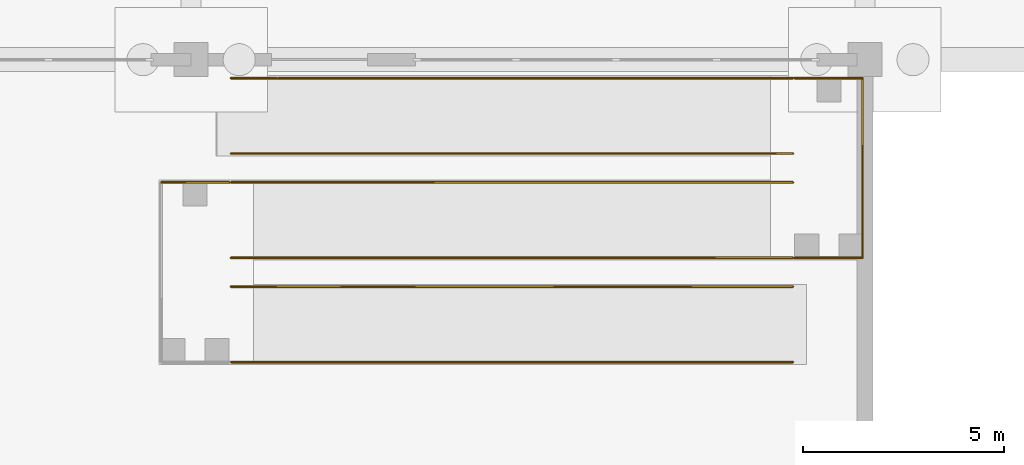
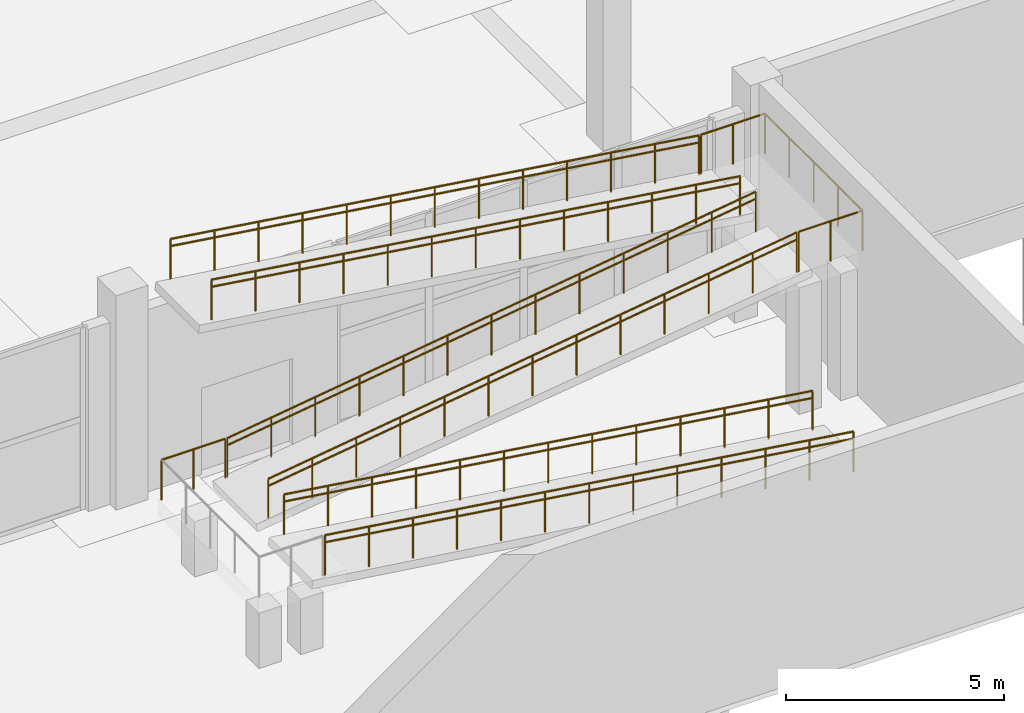
# One storey, part 37 of 46: 16 railings.
"""IFC4 building model written with IfcOpenShell, lengths in metres."""

from ifc_helpers import new_model, si_unit, direction, frame, origin, origin_2d, place, context, subcontext, project, spatial, circle, extrude, material, type_object, element, save


model = new_model("IFC4")

# Units and contexts
model_context = context("Model", 3, precision=1e-05, world=origin(), true_north=direction((0.0, 1.0)))
body_context = subcontext(model_context, "Body", "Model", "MODEL_VIEW")
ifc_project = project(units=[si_unit("LENGTHUNIT", "METRE"), si_unit("AREAUNIT", "SQUARE_METRE"), si_unit("VOLUMEUNIT", "CUBIC_METRE"), si_unit("PLANEANGLEUNIT", "RADIAN"), si_unit("MASSUNIT", "GRAM", prefix="KILO")], contexts=[model_context])

# Site, building, storey
site_placement = place(None, origin())
site = spatial("IfcSite", under=ifc_project, at=site_placement, CompositionType="ELEMENT")
building_placement = place(site_placement, origin())
building = spatial("IfcBuilding", under=site, at=building_placement, Name="Kimbaza Rail Terminus", CompositionType="ELEMENT")
storey_placement = place(building_placement, frame((0.0, 0.0, -6.0)))
storey = spatial("IfcBuildingStorey", under=building, at=storey_placement, Name="B1", CompositionType="ELEMENT", Elevation=-6.0)

# Railings
ifc_material_1 = material(Name="Stainless steel exterior ramp handrail", Category="steel")
railing_type_1 = type_object("IfcRailingType", Name="ARC-RL-HNDE9", PredefinedType="HANDRAIL", material=ifc_material_1)
railing_1_placement = place(storey_placement, frame((123.39990234375, 24.659912109375, 6.0)))
element("IfcRailing", 1, at=railing_1_placement, inside=storey, type_object=railing_type_1, Name="Metro Plaza East Upper Ramp Handrail 1", PredefinedType="HANDRAIL", context=body_context, shape_type="SweptSolid", body=[
    extrude(circle(Radius=0.02392578125, at=origin_2d()), frame((0.0, 0.0, 0.916015625), z_axis=(0.989949493661, 0.0, -0.141421356237), x_axis=(0.0, 1.0, 0.0)), (0.0, 0.0, 1.0), 14.14208984375),
    extrude(circle(Radius=0.02099609375, at=origin_2d()), origin(), (0.0, 0.0, 1.0), 0.891845703125),
    extrude(circle(Radius=0.02099609375, at=origin_2d()), frame((1.166748046875, 0.0, -0.166748046875)), (0.0, 0.0, 1.0), 0.891845703125),
    extrude(circle(Radius=0.02099609375, at=origin_2d()), frame((2.333251953125, 0.0, -0.333251953125)), (0.0, 0.0, 1.0), 0.891845703125),
    extrude(circle(Radius=0.02099609375, at=origin_2d()), frame((3.5, 0.0, -0.5)), (0.0, 0.0, 1.0), 0.891845703125),
    extrude(circle(Radius=0.02099609375, at=origin_2d()), frame((4.666748046875, 0.0, -0.666748046875)), (0.0, 0.0, 1.0), 0.891845703125),
    extrude(circle(Radius=0.02099609375, at=origin_2d()), frame((5.833251953125, 0.0, -0.833251953125)), (0.0, 0.0, 1.0), 0.891845703125),
    extrude(circle(Radius=0.02099609375, at=origin_2d()), frame((7.0, 0.0, -1.0)), (0.0, 0.0, 1.0), 0.891845703125),
    extrude(circle(Radius=0.02099609375, at=origin_2d()), frame((8.166748046875, 0.0, -1.166748046875)), (0.0, 0.0, 1.0), 0.891845703125),
    extrude(circle(Radius=0.02099609375, at=origin_2d()), frame((9.333251953125, 0.0, -1.333251953125)), (0.0, 0.0, 1.0), 0.891845703125),
    extrude(circle(Radius=0.02099609375, at=origin_2d()), frame((10.5, 0.0, -1.5)), (0.0, 0.0, 1.0), 0.891845703125),
    extrude(circle(Radius=0.02099609375, at=origin_2d()), frame((11.666748046875, 0.0, -1.666748046875)), (0.0, 0.0, 1.0), 0.891845703125),
    extrude(circle(Radius=0.02099609375, at=origin_2d()), frame((12.833251953125, 0.0, -1.833251953125)), (0.0, 0.0, 1.0), 0.891845703125),
    extrude(circle(Radius=0.02099609375, at=origin_2d()), frame((14.0, 0.0, -2.0)), (0.0, 0.0, 1.0), 0.891845703125),
])
railing_2_placement = place(storey_placement, frame((123.39990234375, 26.5400390625, 6.0)))
element("IfcRailing", 2, at=railing_2_placement, inside=storey, type_object=railing_type_1, Name="Metro Plaza East Upper Ramp Handrail 2", PredefinedType="HANDRAIL", context=body_context, shape_type="SweptSolid", body=[
    extrude(circle(Radius=0.02392578125, at=origin_2d()), frame((0.0, 0.0, 0.916015625), z_axis=(0.989949493661, 0.0, -0.141421356237), x_axis=(0.0, 1.0, 0.0)), (0.0, 0.0, 1.0), 14.14208984375),
    extrude(circle(Radius=0.02099609375, at=origin_2d()), origin(), (0.0, 0.0, 1.0), 0.891845703125),
    extrude(circle(Radius=0.02099609375, at=origin_2d()), frame((1.166748046875, 0.0, -0.166748046875)), (0.0, 0.0, 1.0), 0.891845703125),
    extrude(circle(Radius=0.02099609375, at=origin_2d()), frame((2.333251953125, 0.0, -0.333251953125)), (0.0, 0.0, 1.0), 0.891845703125),
    extrude(circle(Radius=0.02099609375, at=origin_2d()), frame((3.5, 0.0, -0.5)), (0.0, 0.0, 1.0), 0.891845703125),
    extrude(circle(Radius=0.02099609375, at=origin_2d()), frame((4.666748046875, 0.0, -0.666748046875)), (0.0, 0.0, 1.0), 0.891845703125),
    extrude(circle(Radius=0.02099609375, at=origin_2d()), frame((5.833251953125, 0.0, -0.833251953125)), (0.0, 0.0, 1.0), 0.891845703125),
    extrude(circle(Radius=0.02099609375, at=origin_2d()), frame((7.0, 0.0, -1.0)), (0.0, 0.0, 1.0), 0.891845703125),
    extrude(circle(Radius=0.02099609375, at=origin_2d()), frame((8.166748046875, 0.0, -1.166748046875)), (0.0, 0.0, 1.0), 0.891845703125),
    extrude(circle(Radius=0.02099609375, at=origin_2d()), frame((9.333251953125, 0.0, -1.333251953125)), (0.0, 0.0, 1.0), 0.891845703125),
    extrude(circle(Radius=0.02099609375, at=origin_2d()), frame((10.5, 0.0, -1.5)), (0.0, 0.0, 1.0), 0.891845703125),
    extrude(circle(Radius=0.02099609375, at=origin_2d()), frame((11.666748046875, 0.0, -1.666748046875)), (0.0, 0.0, 1.0), 0.891845703125),
    extrude(circle(Radius=0.02099609375, at=origin_2d()), frame((12.833251953125, 0.0, -1.833251953125)), (0.0, 0.0, 1.0), 0.891845703125),
    extrude(circle(Radius=0.02099609375, at=origin_2d()), frame((14.0, 0.0, -2.0)), (0.0, 0.0, 1.0), 0.891845703125),
])
railing_3_placement = place(storey_placement, frame((123.39990234375, 22.06005859375, 2.0)))
element("IfcRailing", 3, at=railing_3_placement, inside=storey, type_object=railing_type_1, Name="Metro Plaza East Mid Ramp Handrail 1", PredefinedType="HANDRAIL", context=body_context, shape_type="SweptSolid", body=[
    extrude(circle(Radius=0.02392578125, at=origin_2d()), frame((0.0, 0.0, 0.916015625), z_axis=(0.989949493661, 0.0, 0.141421356237), x_axis=(0.0, 1.0, 0.0)), (0.0, 0.0, 1.0), 14.14208984375),
    extrude(circle(Radius=0.02099609375, at=origin_2d()), origin(), (0.0, 0.0, 1.0), 0.891845703125),
    extrude(circle(Radius=0.02099609375, at=origin_2d()), frame((1.166748046875, 0.0, 0.166748046875)), (0.0, 0.0, 1.0), 0.891845703125),
    extrude(circle(Radius=0.02099609375, at=origin_2d()), frame((2.333251953125, 0.0, 0.333251953125)), (0.0, 0.0, 1.0), 0.891845703125),
    extrude(circle(Radius=0.02099609375, at=origin_2d()), frame((3.5, 0.0, 0.5)), (0.0, 0.0, 1.0), 0.891845703125),
    extrude(circle(Radius=0.02099609375, at=origin_2d()), frame((4.666748046875, 0.0, 0.666748046875)), (0.0, 0.0, 1.0), 0.891845703125),
    extrude(circle(Radius=0.02099609375, at=origin_2d()), frame((5.833251953125, 0.0, 0.833251953125)), (0.0, 0.0, 1.0), 0.891845703125),
    extrude(circle(Radius=0.02099609375, at=origin_2d()), frame((7.0, 0.0, 1.0)), (0.0, 0.0, 1.0), 0.891845703125),
    extrude(circle(Radius=0.02099609375, at=origin_2d()), frame((8.166748046875, 0.0, 1.166748046875)), (0.0, 0.0, 1.0), 0.891845703125),
    extrude(circle(Radius=0.02099609375, at=origin_2d()), frame((9.333251953125, 0.0, 1.333251953125)), (0.0, 0.0, 1.0), 0.891845703125),
    extrude(circle(Radius=0.02099609375, at=origin_2d()), frame((10.5, 0.0, 1.5)), (0.0, 0.0, 1.0), 0.891845703125),
    extrude(circle(Radius=0.02099609375, at=origin_2d()), frame((11.666748046875, 0.0, 1.666748046875)), (0.0, 0.0, 1.0), 0.891845703125),
    extrude(circle(Radius=0.02099609375, at=origin_2d()), frame((12.833251953125, 0.0, 1.833251953125)), (0.0, 0.0, 1.0), 0.891845703125),
    extrude(circle(Radius=0.02099609375, at=origin_2d()), frame((14.0, 0.0, 2.0)), (0.0, 0.0, 1.0), 0.891845703125),
])
railing_4_placement = place(storey_placement, frame((123.39990234375, 23.93994140625, 2.0)))
element("IfcRailing", 4, at=railing_4_placement, inside=storey, type_object=railing_type_1, Name="Metro Plaza East Mid Ramp Handrail 2", PredefinedType="HANDRAIL", context=body_context, shape_type="SweptSolid", body=[
    extrude(circle(Radius=0.02392578125, at=origin_2d()), frame((0.0, 0.0, 0.916015625), z_axis=(0.989949493661, 0.0, 0.141421356237), x_axis=(0.0, 1.0, 0.0)), (0.0, 0.0, 1.0), 14.14208984375),
    extrude(circle(Radius=0.02099609375, at=origin_2d()), origin(), (0.0, 0.0, 1.0), 0.891845703125),
    extrude(circle(Radius=0.02099609375, at=origin_2d()), frame((1.166748046875, 0.0, 0.166748046875)), (0.0, 0.0, 1.0), 0.891845703125),
    extrude(circle(Radius=0.02099609375, at=origin_2d()), frame((2.333251953125, 0.0, 0.333251953125)), (0.0, 0.0, 1.0), 0.891845703125),
    extrude(circle(Radius=0.02099609375, at=origin_2d()), frame((3.5, 0.0, 0.5)), (0.0, 0.0, 1.0), 0.891845703125),
    extrude(circle(Radius=0.02099609375, at=origin_2d()), frame((4.666748046875, 0.0, 0.666748046875)), (0.0, 0.0, 1.0), 0.891845703125),
    extrude(circle(Radius=0.02099609375, at=origin_2d()), frame((5.833251953125, 0.0, 0.833251953125)), (0.0, 0.0, 1.0), 0.891845703125),
    extrude(circle(Radius=0.02099609375, at=origin_2d()), frame((7.0, 0.0, 1.0)), (0.0, 0.0, 1.0), 0.891845703125),
    extrude(circle(Radius=0.02099609375, at=origin_2d()), frame((8.166748046875, 0.0, 1.166748046875)), (0.0, 0.0, 1.0), 0.891845703125),
    extrude(circle(Radius=0.02099609375, at=origin_2d()), frame((9.333251953125, 0.0, 1.333251953125)), (0.0, 0.0, 1.0), 0.891845703125),
    extrude(circle(Radius=0.02099609375, at=origin_2d()), frame((10.5, 0.0, 1.5)), (0.0, 0.0, 1.0), 0.891845703125),
    extrude(circle(Radius=0.02099609375, at=origin_2d()), frame((11.666748046875, 0.0, 1.666748046875)), (0.0, 0.0, 1.0), 0.891845703125),
    extrude(circle(Radius=0.02099609375, at=origin_2d()), frame((12.833251953125, 0.0, 1.833251953125)), (0.0, 0.0, 1.0), 0.891845703125),
    extrude(circle(Radius=0.02099609375, at=origin_2d()), frame((14.0, 0.0, 2.0)), (0.0, 0.0, 1.0), 0.891845703125),
])
railing_5_placement = place(storey_placement, frame((123.39990234375, 19.4599609375, 2.0)))
element("IfcRailing", 5, at=railing_5_placement, inside=storey, type_object=railing_type_1, Name="Metro Plaza East Lower Ramp Handrail 1", PredefinedType="HANDRAIL", context=body_context, shape_type="SweptSolid", body=[
    extrude(circle(Radius=0.02392578125, at=origin_2d()), frame((0.0, 0.0, 0.916015625), z_axis=(0.989949493661, 0.0, -0.141421356237), x_axis=(0.0, 1.0, 0.0)), (0.0, 0.0, 1.0), 14.14208984375),
    extrude(circle(Radius=0.02099609375, at=origin_2d()), origin(), (0.0, 0.0, 1.0), 0.891845703125),
    extrude(circle(Radius=0.02099609375, at=origin_2d()), frame((1.166748046875, 0.0, -0.166748046875)), (0.0, 0.0, 1.0), 0.891845703125),
    extrude(circle(Radius=0.02099609375, at=origin_2d()), frame((2.333251953125, 0.0, -0.333251953125)), (0.0, 0.0, 1.0), 0.891845703125),
    extrude(circle(Radius=0.02099609375, at=origin_2d()), frame((3.5, 0.0, -0.5)), (0.0, 0.0, 1.0), 0.891845703125),
    extrude(circle(Radius=0.02099609375, at=origin_2d()), frame((4.666748046875, 0.0, -0.666748046875)), (0.0, 0.0, 1.0), 0.891845703125),
    extrude(circle(Radius=0.02099609375, at=origin_2d()), frame((5.833251953125, 0.0, -0.833251953125)), (0.0, 0.0, 1.0), 0.891845703125),
    extrude(circle(Radius=0.02099609375, at=origin_2d()), frame((7.0, 0.0, -1.0)), (0.0, 0.0, 1.0), 0.891845703125),
    extrude(circle(Radius=0.02099609375, at=origin_2d()), frame((8.166748046875, 0.0, -1.166748046875)), (0.0, 0.0, 1.0), 0.891845703125),
    extrude(circle(Radius=0.02099609375, at=origin_2d()), frame((9.333251953125, 0.0, -1.333251953125)), (0.0, 0.0, 1.0), 0.891845703125),
    extrude(circle(Radius=0.02099609375, at=origin_2d()), frame((10.5, 0.0, -1.5)), (0.0, 0.0, 1.0), 0.891845703125),
    extrude(circle(Radius=0.02099609375, at=origin_2d()), frame((11.666748046875, 0.0, -1.666748046875)), (0.0, 0.0, 1.0), 0.891845703125),
    extrude(circle(Radius=0.02099609375, at=origin_2d()), frame((12.833251953125, 0.0, -1.833251953125)), (0.0, 0.0, 1.0), 0.891845703125),
    extrude(circle(Radius=0.02099609375, at=origin_2d()), frame((14.0, 0.0, -2.0)), (0.0, 0.0, 1.0), 0.891845703125),
])
railing_6_placement = place(storey_placement, frame((123.39990234375, 21.340087890625, 2.0)))
element("IfcRailing", 6, at=railing_6_placement, inside=storey, type_object=railing_type_1, Name="Metro Plaza East Lower Ramp Handrail 2", PredefinedType="HANDRAIL", context=body_context, shape_type="SweptSolid", body=[
    extrude(circle(Radius=0.02392578125, at=origin_2d()), frame((0.0, 0.0, 0.916015625), z_axis=(0.989949493661, 0.0, -0.141421356237), x_axis=(0.0, 1.0, 0.0)), (0.0, 0.0, 1.0), 14.14208984375),
    extrude(circle(Radius=0.02099609375, at=origin_2d()), origin(), (0.0, 0.0, 1.0), 0.891845703125),
    extrude(circle(Radius=0.02099609375, at=origin_2d()), frame((1.166748046875, 0.0, -0.166748046875)), (0.0, 0.0, 1.0), 0.891845703125),
    extrude(circle(Radius=0.02099609375, at=origin_2d()), frame((2.333251953125, 0.0, -0.333251953125)), (0.0, 0.0, 1.0), 0.891845703125),
    extrude(circle(Radius=0.02099609375, at=origin_2d()), frame((3.5, 0.0, -0.5)), (0.0, 0.0, 1.0), 0.891845703125),
    extrude(circle(Radius=0.02099609375, at=origin_2d()), frame((4.666748046875, 0.0, -0.666748046875)), (0.0, 0.0, 1.0), 0.891845703125),
    extrude(circle(Radius=0.02099609375, at=origin_2d()), frame((5.833251953125, 0.0, -0.833251953125)), (0.0, 0.0, 1.0), 0.891845703125),
    extrude(circle(Radius=0.02099609375, at=origin_2d()), frame((7.0, 0.0, -1.0)), (0.0, 0.0, 1.0), 0.891845703125),
    extrude(circle(Radius=0.02099609375, at=origin_2d()), frame((8.166748046875, 0.0, -1.166748046875)), (0.0, 0.0, 1.0), 0.891845703125),
    extrude(circle(Radius=0.02099609375, at=origin_2d()), frame((9.333251953125, 0.0, -1.333251953125)), (0.0, 0.0, 1.0), 0.891845703125),
    extrude(circle(Radius=0.02099609375, at=origin_2d()), frame((10.5, 0.0, -1.5)), (0.0, 0.0, 1.0), 0.891845703125),
    extrude(circle(Radius=0.02099609375, at=origin_2d()), frame((11.666748046875, 0.0, -1.666748046875)), (0.0, 0.0, 1.0), 0.891845703125),
    extrude(circle(Radius=0.02099609375, at=origin_2d()), frame((12.833251953125, 0.0, -1.833251953125)), (0.0, 0.0, 1.0), 0.891845703125),
    extrude(circle(Radius=0.02099609375, at=origin_2d()), frame((14.0, 0.0, -2.0)), (0.0, 0.0, 1.0), 0.891845703125),
])
ifc_material_2 = material(Name="Galvanised steel exterior ramp guard", Category="steel")
railing_type_2 = type_object("IfcRailingType", Name="ARC-RL-RMGRD", PredefinedType="GUARDRAIL", material=ifc_material_2)
railing_7_placement = place(storey_placement, frame((137.449951171875, 22.06005859375, 4.0)))
element("IfcRailing", 7, at=railing_7_placement, inside=storey, type_object=railing_type_2, Name="Ramp Landing Guard 4.1", PredefinedType="GUARDRAIL", context=body_context, shape_type="SweptSolid", body=[
    extrude(circle(Radius=0.02392578125, at=origin_2d()), frame((0.0, 0.0, 1.11572265625), z_axis=(1.0, 0.0, 0.0), x_axis=(0.0, 1.0, 0.0)), (0.0, 0.0, 1.0), 1.68994140625),
    extrude(circle(Radius=0.02099609375, at=origin_2d()), origin(), (0.0, 0.0, 1.0), 1.091796875),
    extrude(circle(Radius=0.02099609375, at=origin_2d()), frame((0.844970703125, 0.0, 0.0)), (0.0, 0.0, 1.0), 1.091796875),
    extrude(circle(Radius=0.02099609375, at=origin_2d()), frame((1.68994140625, 0.0, 0.0)), (0.0, 0.0, 1.0), 1.091796875),
])
railing_8_placement = place(storey_placement, frame((139.139892578125, 22.06005859375, 4.0)))
element("IfcRailing", 8, at=railing_8_placement, inside=storey, type_object=railing_type_2, Name="Ramp Landing Guard 4.2", PredefinedType="GUARDRAIL", context=body_context, shape_type="SweptSolid", body=[
    extrude(circle(Radius=0.02392578125, at=origin_2d()), frame((0.0, 0.0, 1.11572265625), z_axis=(0.0, 1.0, 0.0), x_axis=(-1.0, 0.0, 0.0)), (0.0, 0.0, 1.0), 4.47998046875),
    extrude(circle(Radius=0.02099609375, at=origin_2d()), origin(), (0.0, 0.0, 1.0), 1.091796875),
    extrude(circle(Radius=0.02099609375, at=origin_2d()), frame((0.0, 1.1201171875, 0.0)), (0.0, 0.0, 1.0), 1.091796875),
    extrude(circle(Radius=0.02099609375, at=origin_2d()), frame((0.0, 2.239990234375, 0.0)), (0.0, 0.0, 1.0), 1.091796875),
    extrude(circle(Radius=0.02099609375, at=origin_2d()), frame((0.0, 3.35986328125, 0.0)), (0.0, 0.0, 1.0), 1.091796875),
    extrude(circle(Radius=0.02099609375, at=origin_2d()), frame((0.0, 4.47998046875, 0.0)), (0.0, 0.0, 1.0), 1.091796875),
])
railing_9_placement = place(storey_placement, frame((139.139892578125, 26.5400390625, 4.0)))
element("IfcRailing", 9, at=railing_9_placement, inside=storey, type_object=railing_type_2, Name="Ramp Landing Guard 4.3", PredefinedType="GUARDRAIL", context=body_context, shape_type="SweptSolid", body=[
    extrude(circle(Radius=0.02392578125, at=origin_2d()), frame((0.0, 0.0, 1.11572265625), z_axis=(-1.0, 0.0, 0.0), x_axis=(0.0, -1.0, 0.0)), (0.0, 0.0, 1.0), 1.68994140625),
    extrude(circle(Radius=0.02099609375, at=origin_2d()), origin(), (0.0, 0.0, 1.0), 1.091796875),
    extrude(circle(Radius=0.02099609375, at=origin_2d()), frame((-0.844970703125, 0.0, 0.0)), (0.0, 0.0, 1.0), 1.091796875),
    extrude(circle(Radius=0.02099609375, at=origin_2d()), frame((-1.68994140625, 0.0, 0.0)), (0.0, 0.0, 1.0), 1.091796875),
])
railing_10_placement = place(storey_placement, frame((123.39990234375, 24.659912109375, 6.0)))
element("IfcRailing", 10, at=railing_10_placement, inside=storey, type_object=railing_type_2, Name="Metro Plaza East Upper Ramp Guard 1", PredefinedType="GUARDRAIL", context=body_context, shape_type="SweptSolid", body=[
    extrude(circle(Radius=0.02392578125, at=origin_2d()), frame((0.0, 0.0, 1.11572265625), z_axis=(0.989949493661, 0.0, -0.141421356237), x_axis=(0.0, 1.0, 0.0)), (0.0, 0.0, 1.0), 14.14208984375),
    extrude(circle(Radius=0.02099609375, at=origin_2d()), origin(), (0.0, 0.0, 1.0), 1.091796875),
    extrude(circle(Radius=0.02099609375, at=origin_2d()), frame((1.166748046875, 0.0, -0.166748046875)), (0.0, 0.0, 1.0), 1.091796875),
    extrude(circle(Radius=0.02099609375, at=origin_2d()), frame((2.333251953125, 0.0, -0.333251953125)), (0.0, 0.0, 1.0), 1.091796875),
    extrude(circle(Radius=0.02099609375, at=origin_2d()), frame((3.5, 0.0, -0.5)), (0.0, 0.0, 1.0), 1.091796875),
    extrude(circle(Radius=0.02099609375, at=origin_2d()), frame((4.666748046875, 0.0, -0.666748046875)), (0.0, 0.0, 1.0), 1.091796875),
    extrude(circle(Radius=0.02099609375, at=origin_2d()), frame((5.833251953125, 0.0, -0.833251953125)), (0.0, 0.0, 1.0), 1.091796875),
    extrude(circle(Radius=0.02099609375, at=origin_2d()), frame((7.0, 0.0, -1.0)), (0.0, 0.0, 1.0), 1.091796875),
    extrude(circle(Radius=0.02099609375, at=origin_2d()), frame((8.166748046875, 0.0, -1.166748046875)), (0.0, 0.0, 1.0), 1.091796875),
    extrude(circle(Radius=0.02099609375, at=origin_2d()), frame((9.333251953125, 0.0, -1.333251953125)), (0.0, 0.0, 1.0), 1.091796875),
    extrude(circle(Radius=0.02099609375, at=origin_2d()), frame((10.5, 0.0, -1.5)), (0.0, 0.0, 1.0), 1.091796875),
    extrude(circle(Radius=0.02099609375, at=origin_2d()), frame((11.666748046875, 0.0, -1.666748046875)), (0.0, 0.0, 1.0), 1.091796875),
    extrude(circle(Radius=0.02099609375, at=origin_2d()), frame((12.833251953125, 0.0, -1.833251953125)), (0.0, 0.0, 1.0), 1.091796875),
    extrude(circle(Radius=0.02099609375, at=origin_2d()), frame((14.0, 0.0, -2.0)), (0.0, 0.0, 1.0), 1.091796875),
])
railing_11_placement = place(storey_placement, frame((123.39990234375, 26.5400390625, 6.0)))
element("IfcRailing", 11, at=railing_11_placement, inside=storey, type_object=railing_type_2, Name="Metro Plaza East Upper Ramp Guard 2", PredefinedType="GUARDRAIL", context=body_context, shape_type="SweptSolid", body=[
    extrude(circle(Radius=0.02392578125, at=origin_2d()), frame((0.0, 0.0, 1.11572265625), z_axis=(0.989949493661, 0.0, -0.141421356237), x_axis=(0.0, 1.0, 0.0)), (0.0, 0.0, 1.0), 14.14208984375),
    extrude(circle(Radius=0.02099609375, at=origin_2d()), origin(), (0.0, 0.0, 1.0), 1.091796875),
    extrude(circle(Radius=0.02099609375, at=origin_2d()), frame((1.166748046875, 0.0, -0.166748046875)), (0.0, 0.0, 1.0), 1.091796875),
    extrude(circle(Radius=0.02099609375, at=origin_2d()), frame((2.333251953125, 0.0, -0.333251953125)), (0.0, 0.0, 1.0), 1.091796875),
    extrude(circle(Radius=0.02099609375, at=origin_2d()), frame((3.5, 0.0, -0.5)), (0.0, 0.0, 1.0), 1.091796875),
    extrude(circle(Radius=0.02099609375, at=origin_2d()), frame((4.666748046875, 0.0, -0.666748046875)), (0.0, 0.0, 1.0), 1.091796875),
    extrude(circle(Radius=0.02099609375, at=origin_2d()), frame((5.833251953125, 0.0, -0.833251953125)), (0.0, 0.0, 1.0), 1.091796875),
    extrude(circle(Radius=0.02099609375, at=origin_2d()), frame((7.0, 0.0, -1.0)), (0.0, 0.0, 1.0), 1.091796875),
    extrude(circle(Radius=0.02099609375, at=origin_2d()), frame((8.166748046875, 0.0, -1.166748046875)), (0.0, 0.0, 1.0), 1.091796875),
    extrude(circle(Radius=0.02099609375, at=origin_2d()), frame((9.333251953125, 0.0, -1.333251953125)), (0.0, 0.0, 1.0), 1.091796875),
    extrude(circle(Radius=0.02099609375, at=origin_2d()), frame((10.5, 0.0, -1.5)), (0.0, 0.0, 1.0), 1.091796875),
    extrude(circle(Radius=0.02099609375, at=origin_2d()), frame((11.666748046875, 0.0, -1.666748046875)), (0.0, 0.0, 1.0), 1.091796875),
    extrude(circle(Radius=0.02099609375, at=origin_2d()), frame((12.833251953125, 0.0, -1.833251953125)), (0.0, 0.0, 1.0), 1.091796875),
    extrude(circle(Radius=0.02099609375, at=origin_2d()), frame((14.0, 0.0, -2.0)), (0.0, 0.0, 1.0), 1.091796875),
])
railing_12_placement = place(storey_placement, frame((121.659912109375, 23.93994140625, 2.0)))
element("IfcRailing", 12, at=railing_12_placement, inside=storey, type_object=railing_type_2, Name="Ramp Landing Guard 5.3", PredefinedType="GUARDRAIL", context=body_context, shape_type="SweptSolid", body=[
    extrude(circle(Radius=0.02392578125, at=origin_2d()), frame((0.0, 0.0, 1.11572265625), z_axis=(1.0, 0.0, 0.0), x_axis=(0.0, 1.0, 0.0)), (0.0, 0.0, 1.0), 1.690185546875),
    extrude(circle(Radius=0.02099609375, at=origin_2d()), origin(), (0.0, 0.0, 1.0), 1.091796875),
    extrude(circle(Radius=0.02099609375, at=origin_2d()), frame((0.84521484375, 0.0, 0.0)), (0.0, 0.0, 1.0), 1.091796875),
    extrude(circle(Radius=0.02099609375, at=origin_2d()), frame((1.690185546875, 0.0, 0.0)), (0.0, 0.0, 1.0), 1.091796875),
])
railing_13_placement = place(storey_placement, frame((123.39990234375, 22.06005859375, 2.0)))
element("IfcRailing", 13, at=railing_13_placement, inside=storey, type_object=railing_type_2, Name="Metro Plaza East Mid Ramp Guard 1", PredefinedType="GUARDRAIL", context=body_context, shape_type="SweptSolid", body=[
    extrude(circle(Radius=0.02392578125, at=origin_2d()), frame((0.0, 0.0, 1.11572265625), z_axis=(0.989949493661, 0.0, 0.141421356237), x_axis=(0.0, 1.0, 0.0)), (0.0, 0.0, 1.0), 14.14208984375),
    extrude(circle(Radius=0.02099609375, at=origin_2d()), origin(), (0.0, 0.0, 1.0), 1.091796875),
    extrude(circle(Radius=0.02099609375, at=origin_2d()), frame((1.166748046875, 0.0, 0.166748046875)), (0.0, 0.0, 1.0), 1.091796875),
    extrude(circle(Radius=0.02099609375, at=origin_2d()), frame((2.333251953125, 0.0, 0.333251953125)), (0.0, 0.0, 1.0), 1.091796875),
    extrude(circle(Radius=0.02099609375, at=origin_2d()), frame((3.5, 0.0, 0.5)), (0.0, 0.0, 1.0), 1.091796875),
    extrude(circle(Radius=0.02099609375, at=origin_2d()), frame((4.666748046875, 0.0, 0.666748046875)), (0.0, 0.0, 1.0), 1.091796875),
    extrude(circle(Radius=0.02099609375, at=origin_2d()), frame((5.833251953125, 0.0, 0.833251953125)), (0.0, 0.0, 1.0), 1.091796875),
    extrude(circle(Radius=0.02099609375, at=origin_2d()), frame((7.0, 0.0, 1.0)), (0.0, 0.0, 1.0), 1.091796875),
    extrude(circle(Radius=0.02099609375, at=origin_2d()), frame((8.166748046875, 0.0, 1.166748046875)), (0.0, 0.0, 1.0), 1.091796875),
    extrude(circle(Radius=0.02099609375, at=origin_2d()), frame((9.333251953125, 0.0, 1.333251953125)), (0.0, 0.0, 1.0), 1.091796875),
    extrude(circle(Radius=0.02099609375, at=origin_2d()), frame((10.5, 0.0, 1.5)), (0.0, 0.0, 1.0), 1.091796875),
    extrude(circle(Radius=0.02099609375, at=origin_2d()), frame((11.666748046875, 0.0, 1.666748046875)), (0.0, 0.0, 1.0), 1.091796875),
    extrude(circle(Radius=0.02099609375, at=origin_2d()), frame((12.833251953125, 0.0, 1.833251953125)), (0.0, 0.0, 1.0), 1.091796875),
    extrude(circle(Radius=0.02099609375, at=origin_2d()), frame((14.0, 0.0, 2.0)), (0.0, 0.0, 1.0), 1.091796875),
])
railing_14_placement = place(storey_placement, frame((123.39990234375, 23.93994140625, 2.0)))
element("IfcRailing", 14, at=railing_14_placement, inside=storey, type_object=railing_type_2, Name="Metro Plaza East Mid Ramp Guard 2", PredefinedType="GUARDRAIL", context=body_context, shape_type="SweptSolid", body=[
    extrude(circle(Radius=0.02392578125, at=origin_2d()), frame((0.0, 0.0, 1.11572265625), z_axis=(0.989949493661, 0.0, 0.141421356237), x_axis=(0.0, 1.0, 0.0)), (0.0, 0.0, 1.0), 14.14208984375),
    extrude(circle(Radius=0.02099609375, at=origin_2d()), origin(), (0.0, 0.0, 1.0), 1.091796875),
    extrude(circle(Radius=0.02099609375, at=origin_2d()), frame((1.166748046875, 0.0, 0.166748046875)), (0.0, 0.0, 1.0), 1.091796875),
    extrude(circle(Radius=0.02099609375, at=origin_2d()), frame((2.333251953125, 0.0, 0.333251953125)), (0.0, 0.0, 1.0), 1.091796875),
    extrude(circle(Radius=0.02099609375, at=origin_2d()), frame((3.5, 0.0, 0.5)), (0.0, 0.0, 1.0), 1.091796875),
    extrude(circle(Radius=0.02099609375, at=origin_2d()), frame((4.666748046875, 0.0, 0.666748046875)), (0.0, 0.0, 1.0), 1.091796875),
    extrude(circle(Radius=0.02099609375, at=origin_2d()), frame((5.833251953125, 0.0, 0.833251953125)), (0.0, 0.0, 1.0), 1.091796875),
    extrude(circle(Radius=0.02099609375, at=origin_2d()), frame((7.0, 0.0, 1.0)), (0.0, 0.0, 1.0), 1.091796875),
    extrude(circle(Radius=0.02099609375, at=origin_2d()), frame((8.166748046875, 0.0, 1.166748046875)), (0.0, 0.0, 1.0), 1.091796875),
    extrude(circle(Radius=0.02099609375, at=origin_2d()), frame((9.333251953125, 0.0, 1.333251953125)), (0.0, 0.0, 1.0), 1.091796875),
    extrude(circle(Radius=0.02099609375, at=origin_2d()), frame((10.5, 0.0, 1.5)), (0.0, 0.0, 1.0), 1.091796875),
    extrude(circle(Radius=0.02099609375, at=origin_2d()), frame((11.666748046875, 0.0, 1.666748046875)), (0.0, 0.0, 1.0), 1.091796875),
    extrude(circle(Radius=0.02099609375, at=origin_2d()), frame((12.833251953125, 0.0, 1.833251953125)), (0.0, 0.0, 1.0), 1.091796875),
    extrude(circle(Radius=0.02099609375, at=origin_2d()), frame((14.0, 0.0, 2.0)), (0.0, 0.0, 1.0), 1.091796875),
])
railing_15_placement = place(storey_placement, frame((123.39990234375, 19.4599609375, 2.0)))
element("IfcRailing", 15, at=railing_15_placement, inside=storey, type_object=railing_type_2, Name="Metro Plaza East Lower Ramp Guard 1", PredefinedType="GUARDRAIL", context=body_context, shape_type="SweptSolid", body=[
    extrude(circle(Radius=0.02392578125, at=origin_2d()), frame((0.0, 0.0, 1.11572265625), z_axis=(0.989949493661, 0.0, -0.141421356237), x_axis=(0.0, 1.0, 0.0)), (0.0, 0.0, 1.0), 14.14208984375),
    extrude(circle(Radius=0.02099609375, at=origin_2d()), origin(), (0.0, 0.0, 1.0), 1.091796875),
    extrude(circle(Radius=0.02099609375, at=origin_2d()), frame((1.166748046875, 0.0, -0.166748046875)), (0.0, 0.0, 1.0), 1.091796875),
    extrude(circle(Radius=0.02099609375, at=origin_2d()), frame((2.333251953125, 0.0, -0.333251953125)), (0.0, 0.0, 1.0), 1.091796875),
    extrude(circle(Radius=0.02099609375, at=origin_2d()), frame((3.5, 0.0, -0.5)), (0.0, 0.0, 1.0), 1.091796875),
    extrude(circle(Radius=0.02099609375, at=origin_2d()), frame((4.666748046875, 0.0, -0.666748046875)), (0.0, 0.0, 1.0), 1.091796875),
    extrude(circle(Radius=0.02099609375, at=origin_2d()), frame((5.833251953125, 0.0, -0.833251953125)), (0.0, 0.0, 1.0), 1.091796875),
    extrude(circle(Radius=0.02099609375, at=origin_2d()), frame((7.0, 0.0, -1.0)), (0.0, 0.0, 1.0), 1.091796875),
    extrude(circle(Radius=0.02099609375, at=origin_2d()), frame((8.166748046875, 0.0, -1.166748046875)), (0.0, 0.0, 1.0), 1.091796875),
    extrude(circle(Radius=0.02099609375, at=origin_2d()), frame((9.333251953125, 0.0, -1.333251953125)), (0.0, 0.0, 1.0), 1.091796875),
    extrude(circle(Radius=0.02099609375, at=origin_2d()), frame((10.5, 0.0, -1.5)), (0.0, 0.0, 1.0), 1.091796875),
    extrude(circle(Radius=0.02099609375, at=origin_2d()), frame((11.666748046875, 0.0, -1.666748046875)), (0.0, 0.0, 1.0), 1.091796875),
    extrude(circle(Radius=0.02099609375, at=origin_2d()), frame((12.833251953125, 0.0, -1.833251953125)), (0.0, 0.0, 1.0), 1.091796875),
    extrude(circle(Radius=0.02099609375, at=origin_2d()), frame((14.0, 0.0, -2.0)), (0.0, 0.0, 1.0), 1.091796875),
])
railing_16_placement = place(storey_placement, frame((123.39990234375, 21.340087890625, 2.0)))
element("IfcRailing", 16, at=railing_16_placement, inside=storey, type_object=railing_type_2, Name="Metro Plaza East Lower Ramp Guard 2", PredefinedType="GUARDRAIL", context=body_context, shape_type="SweptSolid", body=[
    extrude(circle(Radius=0.02392578125, at=origin_2d()), frame((0.0, 0.0, 1.11572265625), z_axis=(0.989949493661, 0.0, -0.141421356237), x_axis=(0.0, 1.0, 0.0)), (0.0, 0.0, 1.0), 14.14208984375),
    extrude(circle(Radius=0.02099609375, at=origin_2d()), origin(), (0.0, 0.0, 1.0), 1.091796875),
    extrude(circle(Radius=0.02099609375, at=origin_2d()), frame((1.166748046875, 0.0, -0.166748046875)), (0.0, 0.0, 1.0), 1.091796875),
    extrude(circle(Radius=0.02099609375, at=origin_2d()), frame((2.333251953125, 0.0, -0.333251953125)), (0.0, 0.0, 1.0), 1.091796875),
    extrude(circle(Radius=0.02099609375, at=origin_2d()), frame((3.5, 0.0, -0.5)), (0.0, 0.0, 1.0), 1.091796875),
    extrude(circle(Radius=0.02099609375, at=origin_2d()), frame((4.666748046875, 0.0, -0.666748046875)), (0.0, 0.0, 1.0), 1.091796875),
    extrude(circle(Radius=0.02099609375, at=origin_2d()), frame((5.833251953125, 0.0, -0.833251953125)), (0.0, 0.0, 1.0), 1.091796875),
    extrude(circle(Radius=0.02099609375, at=origin_2d()), frame((7.0, 0.0, -1.0)), (0.0, 0.0, 1.0), 1.091796875),
    extrude(circle(Radius=0.02099609375, at=origin_2d()), frame((8.166748046875, 0.0, -1.166748046875)), (0.0, 0.0, 1.0), 1.091796875),
    extrude(circle(Radius=0.02099609375, at=origin_2d()), frame((9.333251953125, 0.0, -1.333251953125)), (0.0, 0.0, 1.0), 1.091796875),
    extrude(circle(Radius=0.02099609375, at=origin_2d()), frame((10.5, 0.0, -1.5)), (0.0, 0.0, 1.0), 1.091796875),
    extrude(circle(Radius=0.02099609375, at=origin_2d()), frame((11.666748046875, 0.0, -1.666748046875)), (0.0, 0.0, 1.0), 1.091796875),
    extrude(circle(Radius=0.02099609375, at=origin_2d()), frame((12.833251953125, 0.0, -1.833251953125)), (0.0, 0.0, 1.0), 1.091796875),
    extrude(circle(Radius=0.02099609375, at=origin_2d()), frame((14.0, 0.0, -2.0)), (0.0, 0.0, 1.0), 1.091796875),
])

save(model, "model.ifc")
